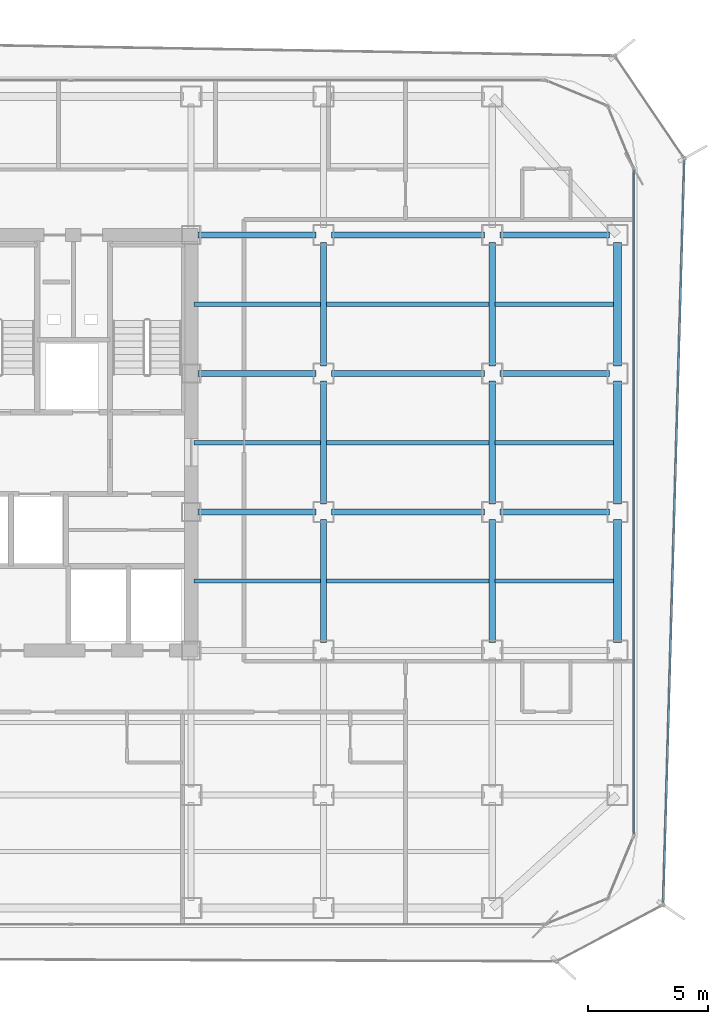
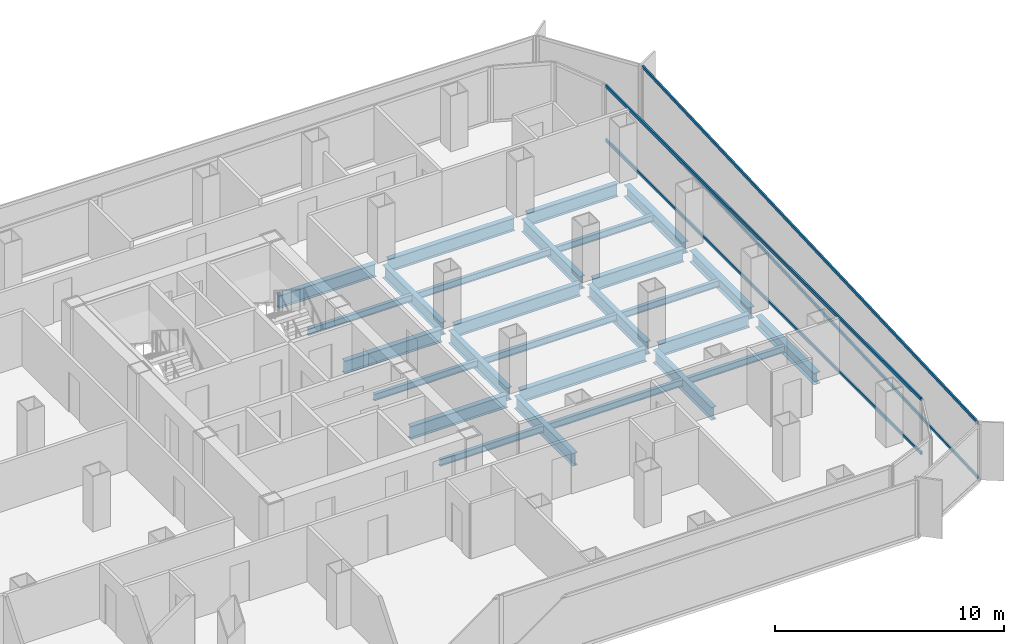
# One storey, part 9 of 21: 27 beams, 4 members, 2 elements without a shape of their own.
"""IFC4 building model written with IfcOpenShell, lengths in metres."""

from ifc_helpers import new_model, si_unit, direction, frame, origin, origin_2d, place, context, subcontext, project, spatial, hollow_rectangle, i_section, extrude, source, transform, mapped, material, layer, layer_set, material_profile, profile_set, type_object, element, aggregate, save


model = new_model("IFC4")

# Units and contexts
model_context = context("Model", 3, precision=1e-05, world=origin(), true_north=direction((0.0, 1.0)))
body_context = subcontext(model_context, "Body", "Model", "MODEL_VIEW")
ifc_project = project(units=[si_unit("LENGTHUNIT", "METRE"), si_unit("AREAUNIT", "SQUARE_METRE"), si_unit("VOLUMEUNIT", "CUBIC_METRE"), si_unit("PLANEANGLEUNIT", "RADIAN"), si_unit("MASSUNIT", "GRAM", prefix="KILO")], contexts=[model_context])

# Site, building, storey
site_placement = place(None, origin())
site = spatial("IfcSite", under=ifc_project, at=site_placement, CompositionType="ELEMENT")
building_placement = place(site_placement, origin())
building = spatial("IfcBuilding", under=site, at=building_placement, Name="Kolveth Station Tower", CompositionType="ELEMENT")
storey_placement = place(building_placement, frame((0.0, 0.0, 124.699951171875)))
storey = spatial("IfcBuildingStorey", under=building, at=storey_placement, Name="L34", CompositionType="ELEMENT", Elevation=124.699951171875)

# Beams
ifc_material_1 = material(Name="Steel S355", Category="steel")
ifc_material_profile_1 = material_profile(ifc_material_1, i_section(OverallWidth=0.323974609375, OverallDepth=0.611083984375, WebThickness=0.0126953125, FlangeThickness=0.01904296875, at=origin_2d()), Name="W610x155")
ifc_profile_set_1 = profile_set([ifc_material_profile_1], Name="Steel S355")
beam_type_1 = type_object("IfcBeamType", Name="Beam_SP2", PredefinedType="SPANDREL", material=ifc_profile_set_1)
shared_shape_1 = source(origin(), body_context, "Body", "SweptSolid", [
    extrude(i_section(OverallWidth=0.323974609375, OverallDepth=0.611083984375, WebThickness=0.0126953125, FlangeThickness=0.01904296875, at=origin_2d()), origin(), (0.0, 0.0, 1.0), 5.10986328125),
])
for number, where, z_axis, x_axis, name in (
    (1, (46.199951171875, 11.820068359375, -0.555419921875), (0.0, 1.0, 0.0), (-1.0, 0.0, 0.0), "L34 Perimeter Spandrel BM-L34-PE-2"),
    (2, (46.199951171875, 17.570068359375, -0.555419921875), (0.0, 1.0, 0.0), (-1.0, 0.0, 0.0), "L34 Perimeter Spandrel BM-L34-PE-3"),
    (3, (46.199951171875, 23.320068359375, -0.555419921875), (0.0, 1.0, 0.0), (-1.0, 0.0, 0.0), "L34 Perimeter Spandrel BM-L34-PE-4"),
):
    element("IfcBeam", number, at=place(storey_placement, frame(where, z_axis=z_axis, x_axis=x_axis)), inside=storey, type_object=beam_type_1, Name=name, PredefinedType="SPANDREL", context=body_context, shape_type="MappedRepresentation", body=[
        mapped(shared_shape_1, transform((0.0, 0.0, 0.0), x_axis=(1.0, 0.0, 0.0), y_axis=(0.0, 1.0, 0.0), z_axis=(0.0, 0.0, 1.0), scale=1.0)),
    ])
ifc_material_profile_2 = material_profile(ifc_material_1, i_section(OverallWidth=0.25390625, OverallDepth=0.68798828125, WebThickness=0.01318359375, FlangeThickness=0.02099609375, at=origin_2d()), Name="W690x152")
ifc_profile_set_2 = profile_set([ifc_material_profile_2], Name="Steel S355")
beam_type_2 = type_object("IfcBeamType", Name="Beam_B4", PredefinedType="BEAM", material=ifc_profile_set_2)
shared_shape_2 = source(origin(), body_context, "Body", "SweptSolid", [
    extrude(i_section(OverallWidth=0.25390625, OverallDepth=0.68798828125, WebThickness=0.01318359375, FlangeThickness=0.02099609375, at=origin_2d()), origin(), (0.0, 0.0, 1.0), 4.559814453125),
])
for number, where, z_axis, x_axis, name in (
    (4, (41.320068359375, 17.25, -0.593994140625), (1.0, 0.0, 0.0), (0.0, 1.0, 0.0), "L34 Primary Girder BM-L34-GY172-7"),
    (5, (41.320068359375, 23.0, -0.593994140625), (1.0, 0.0, 0.0), (0.0, 1.0, 0.0), "L34 Primary Girder BM-L34-GY230-7"),
    (6, (41.320068359375, 28.75, -0.593994140625), (1.0, 0.0, 0.0), (0.0, 1.0, 0.0), "L34 Primary Girder BM-L34-GY287-7"),
):
    element("IfcBeam", number, at=place(storey_placement, frame(where, z_axis=z_axis, x_axis=x_axis)), inside=storey, type_object=beam_type_2, Name=name, PredefinedType="BEAM", context=body_context, shape_type="MappedRepresentation", body=[
        mapped(shared_shape_2, transform((0.0, 0.0, 0.0), x_axis=(1.0, 0.0, 0.0), y_axis=(0.0, 1.0, 0.0), z_axis=(0.0, 0.0, 1.0), scale=1.0)),
    ])
shared_shape_3 = source(origin(), body_context, "Body", "SweptSolid", [
    extrude(i_section(OverallWidth=0.25390625, OverallDepth=0.68798828125, WebThickness=0.01318359375, FlangeThickness=0.02099609375, at=origin_2d()), origin(), (0.0, 0.0, 1.0), 6.35986328125),
])
for number, where, z_axis, x_axis, name in (
    (7, (34.320068359375, 17.25, -0.593994140625), (1.0, 0.0, 0.0), (0.0, 1.0, 0.0), "L34 Primary Girder BM-L34-GY172-6"),
    (8, (34.320068359375, 23.0, -0.593994140625), (1.0, 0.0, 0.0), (0.0, 1.0, 0.0), "L34 Primary Girder BM-L34-GY230-6"),
    (9, (34.320068359375, 28.75, -0.593994140625), (1.0, 0.0, 0.0), (0.0, 1.0, 0.0), "L34 Primary Girder BM-L34-GY287-6"),
):
    element("IfcBeam", number, at=place(storey_placement, frame(where, z_axis=z_axis, x_axis=x_axis)), inside=storey, type_object=beam_type_2, Name=name, PredefinedType="BEAM", context=body_context, shape_type="MappedRepresentation", body=[
        mapped(shared_shape_3, transform((0.0, 0.0, 0.0), x_axis=(1.0, 0.0, 0.0), y_axis=(0.0, 1.0, 0.0), z_axis=(0.0, 0.0, 1.0), scale=1.0)),
    ])
shared_shape_4 = source(origin(), body_context, "Body", "SweptSolid", [
    extrude(i_section(OverallWidth=0.25390625, OverallDepth=0.68798828125, WebThickness=0.01318359375, FlangeThickness=0.02099609375, at=origin_2d()), origin(), (0.0, 0.0, 1.0), 4.89990234375),
])
for number, where, z_axis, x_axis, name in (
    (10, (28.780029296875, 17.25, -0.593994140625), (1.0, 0.0, 0.0), (0.0, 1.0, 0.0), "L34 Primary Girder BM-L34-GY172-5"),
    (11, (28.780029296875, 23.0, -0.593994140625), (1.0, 0.0, 0.0), (0.0, 1.0, 0.0), "L34 Primary Girder BM-L34-GY230-5"),
    (12, (28.780029296875, 28.75, -0.593994140625), (1.0, 0.0, 0.0), (0.0, 1.0, 0.0), "L34 Primary Girder BM-L34-GY287-5"),
):
    element("IfcBeam", number, at=place(storey_placement, frame(where, z_axis=z_axis, x_axis=x_axis)), inside=storey, type_object=beam_type_2, Name=name, PredefinedType="BEAM", context=body_context, shape_type="MappedRepresentation", body=[
        mapped(shared_shape_4, transform((0.0, 0.0, 0.0), x_axis=(1.0, 0.0, 0.0), y_axis=(0.0, 1.0, 0.0), z_axis=(0.0, 0.0, 1.0), scale=1.0)),
    ])
shared_shape_5 = source(origin(), body_context, "Body", "SweptSolid", [
    extrude(i_section(OverallWidth=0.25390625, OverallDepth=0.68798828125, WebThickness=0.01318359375, FlangeThickness=0.02099609375, at=origin_2d()), origin(), (0.0, 0.0, 1.0), 5.10986328125),
])
for number, where, z_axis, x_axis, name in (
    (13, (34.0, 11.820068359375, -0.593994140625), (0.0, 1.0, 0.0), (-1.0, 0.0, 0.0), "L34 Primary Girder BM-L34-GX340-3"),
    (14, (34.0, 17.570068359375, -0.593994140625), (0.0, 1.0, 0.0), (-1.0, 0.0, 0.0), "L34 Primary Girder BM-L34-GX340-4"),
    (15, (34.0, 23.320068359375, -0.593994140625), (0.0, 1.0, 0.0), (-1.0, 0.0, 0.0), "L34 Primary Girder BM-L34-GX340-5"),
    (16, (41.0, 11.820068359375, -0.593994140625), (0.0, 1.0, 0.0), (-1.0, 0.0, 0.0), "L34 Primary Girder BM-L34-GX410-3"),
    (17, (41.0, 17.570068359375, -0.593994140625), (0.0, 1.0, 0.0), (-1.0, 0.0, 0.0), "L34 Primary Girder BM-L34-GX410-4"),
    (18, (41.0, 23.320068359375, -0.593994140625), (0.0, 1.0, 0.0), (-1.0, 0.0, 0.0), "L34 Primary Girder BM-L34-GX410-5"),
):
    element("IfcBeam", number, at=place(storey_placement, frame(where, z_axis=z_axis, x_axis=x_axis)), inside=storey, type_object=beam_type_2, Name=name, PredefinedType="BEAM", context=body_context, shape_type="MappedRepresentation", body=[
        mapped(shared_shape_5, transform((0.0, 0.0, 0.0), x_axis=(1.0, 0.0, 0.0), y_axis=(0.0, 1.0, 0.0), z_axis=(0.0, 0.0, 1.0), scale=1.0)),
    ])
ifc_material_profile_3 = material_profile(ifc_material_1, i_section(OverallWidth=0.1708984375, OverallDepth=0.35205078125, WebThickness=0.0068359375, FlangeThickness=0.009765625, at=origin_2d()), Name="W360x44")
ifc_profile_set_3 = profile_set([ifc_material_profile_3], Name="Steel S355")
beam_type_3 = type_object("IfcBeamType", Name="Beam_J2", PredefinedType="JOIST", material=ifc_profile_set_3)
shared_shape_6 = source(origin(), body_context, "Body", "SweptSolid", [
    extrude(i_section(OverallWidth=0.1708984375, OverallDepth=0.35205078125, WebThickness=0.0068359375, FlangeThickness=0.009765625, at=origin_2d()), origin(), (0.0, 0.0, 1.0), 4.9150390625),
])
for number, where, z_axis, x_axis, name in (
    (19, (41.125, 14.375, -0.426025390625), (1.0, 0.0, 0.0), (0.0, 1.0, 0.0), "L34 Secondary Joist JST-L34-7-3"),
    (20, (41.125, 20.125, -0.426025390625), (1.0, 0.0, 0.0), (0.0, 1.0, 0.0), "L34 Secondary Joist JST-L34-7-4"),
    (21, (41.125, 25.875, -0.426025390625), (1.0, 0.0, 0.0), (0.0, 1.0, 0.0), "L34 Secondary Joist JST-L34-7-5"),
):
    element("IfcBeam", number, at=place(storey_placement, frame(where, z_axis=z_axis, x_axis=x_axis)), inside=storey, type_object=beam_type_3, Name=name, PredefinedType="JOIST", context=body_context, shape_type="MappedRepresentation", body=[
        mapped(shared_shape_6, transform((0.0, 0.0, 0.0), x_axis=(1.0, 0.0, 0.0), y_axis=(0.0, 1.0, 0.0), z_axis=(0.0, 0.0, 1.0), scale=1.0)),
    ])
shared_shape_7 = source(origin(), body_context, "Body", "SweptSolid", [
    extrude(i_section(OverallWidth=0.1708984375, OverallDepth=0.35205078125, WebThickness=0.0068359375, FlangeThickness=0.009765625, at=origin_2d()), origin(), (0.0, 0.0, 1.0), 6.75),
])
for number, where, z_axis, x_axis, name in (
    (22, (34.125, 14.375, -0.426025390625), (1.0, 0.0, 0.0), (0.0, 1.0, 0.0), "L34 Secondary Joist JST-L34-6-3"),
    (23, (34.125, 20.125, -0.426025390625), (1.0, 0.0, 0.0), (0.0, 1.0, 0.0), "L34 Secondary Joist JST-L34-6-4"),
    (24, (34.125, 25.875, -0.426025390625), (1.0, 0.0, 0.0), (0.0, 1.0, 0.0), "L34 Secondary Joist JST-L34-6-5"),
):
    element("IfcBeam", number, at=place(storey_placement, frame(where, z_axis=z_axis, x_axis=x_axis)), inside=storey, type_object=beam_type_3, Name=name, PredefinedType="JOIST", context=body_context, shape_type="MappedRepresentation", body=[
        mapped(shared_shape_7, transform((0.0, 0.0, 0.0), x_axis=(1.0, 0.0, 0.0), y_axis=(0.0, 1.0, 0.0), z_axis=(0.0, 0.0, 1.0), scale=1.0)),
    ])
shared_shape_8 = source(origin(), body_context, "Body", "SweptSolid", [
    extrude(i_section(OverallWidth=0.1708984375, OverallDepth=0.35205078125, WebThickness=0.0068359375, FlangeThickness=0.009765625, at=origin_2d()), origin(), (0.0, 0.0, 1.0), 5.25),
])
for number, where, z_axis, x_axis, name in (
    (25, (28.625, 14.375, -0.426025390625), (1.0, 0.0, 0.0), (0.0, 1.0, 0.0), "L34 Secondary Joist JST-L34-5-3"),
    (26, (28.625, 20.125, -0.426025390625), (1.0, 0.0, 0.0), (0.0, 1.0, 0.0), "L34 Secondary Joist JST-L34-5-4"),
    (27, (28.625, 25.875, -0.426025390625), (1.0, 0.0, 0.0), (0.0, 1.0, 0.0), "L34 Secondary Joist JST-L34-5-5"),
):
    element("IfcBeam", number, at=place(storey_placement, frame(where, z_axis=z_axis, x_axis=x_axis)), inside=storey, type_object=beam_type_3, Name=name, PredefinedType="JOIST", context=body_context, shape_type="MappedRepresentation", body=[
        mapped(shared_shape_8, transform((0.0, 0.0, 0.0), x_axis=(1.0, 0.0, 0.0), y_axis=(0.0, 1.0, 0.0), z_axis=(0.0, 0.0, 1.0), scale=1.0)),
    ])

# Curtain wall, members
ifc_material_2 = material(Name="Aluminium 6063-T6 and low-E dark glass", Category="aluminium")
ifc_layer_1 = layer(ifc_material_2, 0.18994140625)
ifc_layer_set_1 = layer_set([ifc_layer_1], Name="Aluminium 6063-T6 and low-E dark glass")
curtain_wall_type_1 = type_object("IfcCurtainWallType", Name="CurtainWall_CW-Z2", PredefinedType="NOTDEFINED", material=ifc_layer_set_1)
curtain_wall_1_placement = place(storey_placement, origin())
curtain_wall_1 = element("IfcCurtainWall", 28, at=curtain_wall_1_placement, inside=storey, type_object=curtain_wall_type_1, Name="L34 Inner Thermal Curtain Wall 3", PredefinedType="NOTDEFINED")
ifc_material_3 = material(Name="Black anodized aluminium 6063-T6", Category="aluminium")
ifc_material_profile_4 = material_profile(ifc_material_3, hollow_rectangle(XDim=0.080078125, YDim=0.169921875, WallThickness=0.0048828125, at=origin_2d()), Name="ALU-80x170x5")
ifc_profile_set_4 = profile_set([ifc_material_profile_4], Name="Black anodized aluminium 6063-T6")
member_type_1 = type_object("IfcMemberType", Name="Transom_TR2", PredefinedType="USERDEFINED", material=ifc_profile_set_4)
shared_shape_9 = source(origin(), body_context, "Body", "SweptSolid", [
    extrude(hollow_rectangle(XDim=0.080078125, YDim=0.169921875, WallThickness=0.0048828125, at=origin_2d()), origin(), (0.0, 0.0, 1.0), 27.5400390625),
])
member_1_placement = place(storey_placement, frame((46.8798828125, 3.8798828125, 0.0400390625), z_axis=(0.0, 1.0, 0.0), x_axis=(-1.0, 0.0, 0.0)))
member_1 = element("IfcMember", 29, at=member_1_placement, type_object=member_type_1, Name="CW-Z2 transom 1.1", ObjectType="TRANSOM", PredefinedType="USERDEFINED", context=body_context, shape_type="MappedRepresentation", body=[
    mapped(shared_shape_9, transform((0.0, 0.0, 0.0), x_axis=(1.0, 0.0, 0.0), y_axis=(0.0, 1.0, 0.0), z_axis=(0.0, 0.0, 1.0), scale=1.0)),
])
member_2_placement = place(storey_placement, frame((46.8798828125, 3.8798828125, 2.91015625), z_axis=(0.0, 1.0, 0.0), x_axis=(-1.0, 0.0, 0.0)))
member_2 = element("IfcMember", 30, at=member_2_placement, type_object=member_type_1, Name="CW-Z2 transom 1.2", ObjectType="TRANSOM", PredefinedType="USERDEFINED", context=body_context, shape_type="MappedRepresentation", body=[
    mapped(shared_shape_9, transform((0.0, 0.0, 0.0), x_axis=(1.0, 0.0, 0.0), y_axis=(0.0, 1.0, 0.0), z_axis=(0.0, 0.0, 1.0), scale=1.0)),
])
aggregate(curtain_wall_1, [member_1, member_2])

ifc_material_4 = material(Name="Black anodized aluminium 6063-T6 and dark solar glass", Category="aluminium")
ifc_layer_2 = layer(ifc_material_4, 0.159912109375)
ifc_layer_set_2 = layer_set([ifc_layer_2], Name="Black anodized aluminium 6063-T6 and dark solar glass")
curtain_wall_type_2 = type_object("IfcCurtainWallType", Name="OUTER SKIN CW-OS", PredefinedType="NOTDEFINED", material=ifc_layer_set_2)
curtain_wall_2_placement = place(storey_placement, origin())
curtain_wall_2 = element("IfcCurtainWall", 31, at=curtain_wall_2_placement, inside=storey, type_object=curtain_wall_type_2, Name="L34 Outer Ventilated Skin Curtain Wall 2", PredefinedType="NOTDEFINED")
ifc_material_profile_5 = material_profile(ifc_material_3, hollow_rectangle(XDim=0.080078125, YDim=0.14990234375, WallThickness=0.0048828125, at=origin_2d()), Name="ALU-80x150x5")
ifc_profile_set_5 = profile_set([ifc_material_profile_5], Name="Black anodized aluminium 6063-T6")
member_type_2 = type_object("IfcMemberType", Name="Transom_TR-OS", PredefinedType="USERDEFINED", material=ifc_profile_set_5)
shared_shape_10 = source(origin(), body_context, "Body", "SweptSolid", [
    extrude(hollow_rectangle(XDim=0.080078125, YDim=0.14990234375, WallThickness=0.0048828125, at=origin_2d()), origin(), (0.0, 0.0, 1.0), 30.826904296875),
])
member_3_placement = place(storey_placement, frame((48.1005859375, 1.024169921875, 0.0400390625), z_axis=(0.028384324877, 0.99959708388, 0.0), x_axis=(-0.99959708388, 0.028384324877, 0.0)))
member_3 = element("IfcMember", 32, at=member_3_placement, type_object=member_type_2, Name="CW-OS transom 1.1", ObjectType="TRANSOM", PredefinedType="USERDEFINED", context=body_context, shape_type="MappedRepresentation", body=[
    mapped(shared_shape_10, transform((0.0, 0.0, 0.0), x_axis=(1.0, 0.0, 0.0), y_axis=(0.0, 1.0, 0.0), z_axis=(0.0, 0.0, 1.0), scale=1.0)),
])
member_4_placement = place(storey_placement, frame((48.1005859375, 1.024169921875, 2.949951171875), z_axis=(0.028384324877, 0.99959708388, 0.0), x_axis=(-0.99959708388, 0.028384324877, 0.0)))
member_4 = element("IfcMember", 33, at=member_4_placement, type_object=member_type_2, Name="CW-OS transom 1.2", ObjectType="TRANSOM", PredefinedType="USERDEFINED", context=body_context, shape_type="MappedRepresentation", body=[
    mapped(shared_shape_10, transform((0.0, 0.0, 0.0), x_axis=(1.0, 0.0, 0.0), y_axis=(0.0, 1.0, 0.0), z_axis=(0.0, 0.0, 1.0), scale=1.0)),
])
aggregate(curtain_wall_2, [member_3, member_4])

save(model, "model.ifc")
